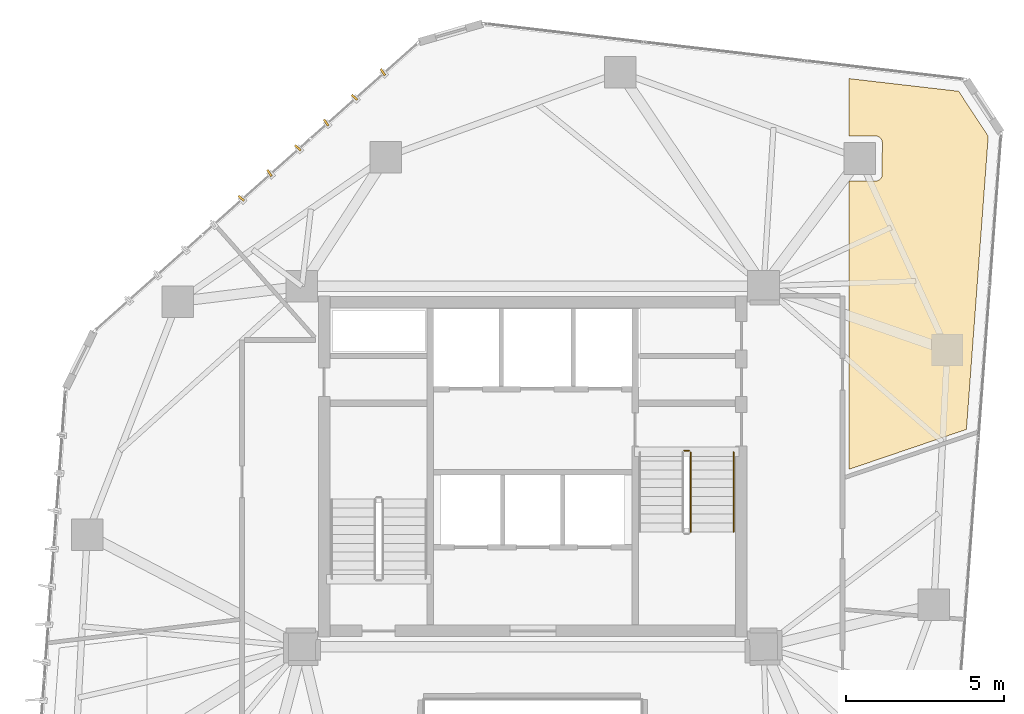
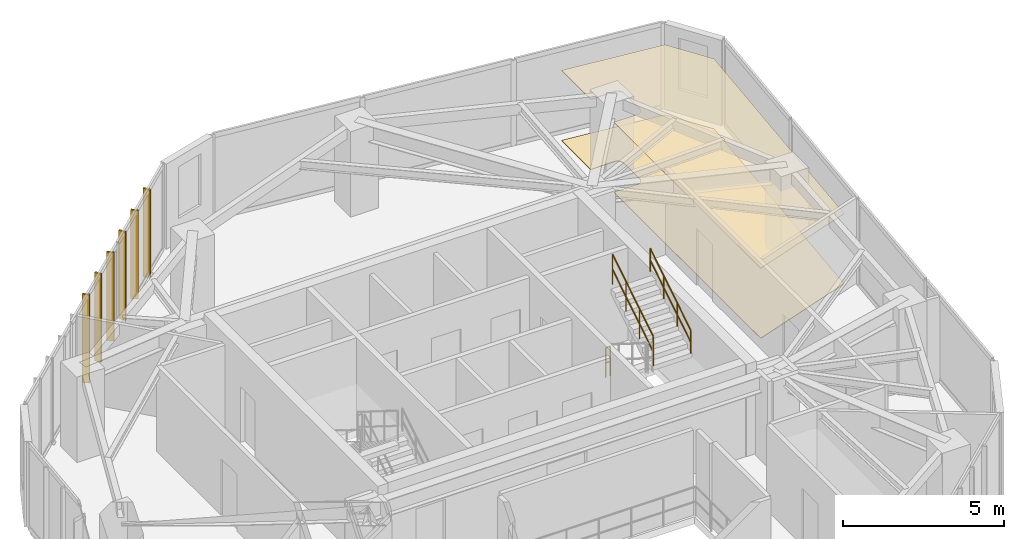
# One storey, part 20 of 20: 6 shading devices, 3 railings, 2 coverings.
"""IFC4 building model written with IfcOpenShell, lengths in metres."""

from ifc_helpers import new_model, si_unit, direction, frame, origin, origin_2d, place, context, subcontext, project, spatial, polyline, rectangle, circle, outline, extrude, source, transform, mapped, material, layer, layer_set, type_object, type_shapes, element, save


model = new_model("IFC4")

# Units and contexts
model_context = context("Model", 3, precision=1e-05, world=origin(), true_north=direction((0.0, 1.0)))
body_context = subcontext(model_context, "Body", "Model", "MODEL_VIEW")
ifc_project = project(units=[si_unit("LENGTHUNIT", "METRE"), si_unit("AREAUNIT", "SQUARE_METRE"), si_unit("VOLUMEUNIT", "CUBIC_METRE"), si_unit("PLANEANGLEUNIT", "RADIAN"), si_unit("MASSUNIT", "GRAM", prefix="KILO")], contexts=[model_context])

# Site, building, storey
site_placement = place(None, origin())
site = spatial("IfcSite", under=ifc_project, at=site_placement, CompositionType="ELEMENT")
building_placement = place(site_placement, origin())
building = spatial("IfcBuilding", under=site, at=building_placement, Name="Talar Marvaseh", CompositionType="ELEMENT")
storey_placement = place(building_placement, frame((0.0, 0.0, 215.199951171875)))
storey = spatial("IfcBuildingStorey", under=building, at=storey_placement, Name="L56", CompositionType="ELEMENT", Elevation=215.199951171875)

# Railings
ifc_material_1 = material(Name="Stainless Steel Grade 316", Category="steel")
railing_type_1 = type_object("IfcRailingType", Name="Brushed Stainless Wall Pitch Handrail 900", PredefinedType="HANDRAIL", material=ifc_material_1)
railing_1_placement = place(storey_placement, frame((32.35009765625, 29.1298828125, 1.925048828125)))
element("IfcRailing", 1, at=railing_1_placement, inside=storey, type_object=railing_type_1, Name="L56 ST-2 stair handrail 2", PredefinedType="HANDRAIL", context=body_context, shape_type="SweptSolid", body=[
    extrude(circle(Radius=0.02392578125, at=origin_2d()), frame((0.0, 0.0, 0.8759765625), z_axis=(0.0, 0.848007534815, 0.529984170421), x_axis=(-1.0, 0.0, 0.0)), (0.0, 0.0, 1.0), 2.9716796875),
    extrude(circle(Radius=0.02392578125, at=origin_2d()), frame((0.0, 0.0, 0.42578125), z_axis=(0.0, 0.848007534815, 0.529984170421), x_axis=(-1.0, 0.0, 0.0)), (0.0, 0.0, 1.0), 2.9716796875),
    extrude(circle(Radius=0.02099609375, at=origin_2d()), origin(), (0.0, 0.0, 1.0), 0.851806640625),
    extrude(circle(Radius=0.02099609375, at=origin_2d()), frame((0.0, 0.840087890625, 0.52490234375)), (0.0, 0.0, 1.0), 0.851806640625),
    extrude(circle(Radius=0.02099609375, at=origin_2d()), frame((0.0, 1.679931640625, 1.050048828125)), (0.0, 0.0, 1.0), 0.851806640625),
    extrude(circle(Radius=0.02099609375, at=origin_2d()), frame((0.0, 2.52001953125, 1.574951171875)), (0.0, 0.0, 1.0), 0.851806640625),
])
railing_type_2 = type_object("IfcRailingType", Name="Painted Steel Core Stair Well Guardrail 1150", PredefinedType="GUARDRAIL", material=ifc_material_1)
railing_2_placement = place(storey_placement, frame((31.0, 29.1298828125, 1.925048828125)))
element("IfcRailing", 2, at=railing_2_placement, inside=storey, type_object=railing_type_2, Name="L56 ST-2 stair guard 3", PredefinedType="GUARDRAIL", context=body_context, shape_type="SweptSolid", body=[
    extrude(circle(Radius=0.02392578125, at=origin_2d()), frame((0.0, 0.0, 1.1259765625), z_axis=(0.0, 0.848007534815, 0.529984170421), x_axis=(-1.0, 0.0, 0.0)), (0.0, 0.0, 1.0), 2.9716796875),
    extrude(circle(Radius=0.02392578125, at=origin_2d()), frame((0.0, 0.0, 0.55078125), z_axis=(0.0, 0.848007534815, 0.529984170421), x_axis=(-1.0, 0.0, 0.0)), (0.0, 0.0, 1.0), 2.9716796875),
    extrude(circle(Radius=0.02099609375, at=origin_2d()), origin(), (0.0, 0.0, 1.0), 1.101806640625),
    extrude(circle(Radius=0.02099609375, at=origin_2d()), frame((0.0, 0.840087890625, 0.52490234375)), (0.0, 0.0, 1.0), 1.101806640625),
    extrude(circle(Radius=0.02099609375, at=origin_2d()), frame((0.0, 1.679931640625, 1.050048828125)), (0.0, 0.0, 1.0), 1.101806640625),
    extrude(circle(Radius=0.02099609375, at=origin_2d()), frame((0.0, 2.52001953125, 1.574951171875)), (0.0, 0.0, 1.0), 1.101806640625),
])
railing_3_placement = place(storey_placement, frame((30.7900390625, 31.699951171875, 0.0)))
element("IfcRailing", 3, at=railing_3_placement, inside=storey, type_object=railing_type_2, Name="L56 ST-2 stair guard 4", PredefinedType="GUARDRAIL", context=body_context, shape_type="SweptSolid", body=[
    extrude(circle(Radius=0.02392578125, at=origin_2d()), frame((0.0, 0.0, 1.1259765625), z_axis=(1.0, 0.0, 0.0), x_axis=(0.0, 1.0, 0.0)), (0.0, 0.0, 1.0), 0.159912109375),
    extrude(circle(Radius=0.02392578125, at=origin_2d()), frame((0.0, 0.0, 0.55078125), z_axis=(1.0, 0.0, 0.0), x_axis=(0.0, 1.0, 0.0)), (0.0, 0.0, 1.0), 0.159912109375),
    extrude(circle(Radius=0.02099609375, at=origin_2d()), origin(), (0.0, 0.0, 1.0), 1.101806640625),
    extrude(circle(Radius=0.02099609375, at=origin_2d()), frame((0.159912109375, 0.0, 0.0)), (0.0, 0.0, 1.0), 1.101806640625),
])

# Coverings
ifc_material_2 = material(Name="Mineral Fibre Acoustic Ceiling")
ifc_layer_1 = layer(ifc_material_2, 0.02490234375)
ifc_layer_set_1 = layer_set([ifc_layer_1], Name="Mineral Fibre Acoustic Ceiling")
covering_type_1 = type_object("IfcCoveringType", Name="Perforated Mineral Fibre Acoustic Suspended Ceiling", PredefinedType="CEILING", material=ifc_layer_set_1)
covering_1_placement = place(storey_placement, frame((0.0, 0.0, 2.650146484375)))
element("IfcCovering", 4, at=covering_1_placement, inside=storey, type_object=covering_type_1, Name="L56 Artisan Craft Showroom Acoustic Ceiling", PredefinedType="CEILING", context=body_context, shape_type="SweptSolid", body=[
    extrude(outline(polyline([(40.4072265625, 41.644287109375), (39.716796875, 32.372802734375), (36.0, 31.109619140625), (36.0, 36.60009765625), (36.0, 40.2314453125), (36.8515625, 40.2314453125), (36.87109375, 40.232421875), (36.890380859375, 40.235107421875), (36.909423828125, 40.239990234375), (36.927978515625, 40.24658203125), (36.945556640625, 40.2548828125), (36.96240234375, 40.264892578125), (36.978271484375, 40.276611328125), (36.99267578125, 40.289794921875), (37.005859375, 40.30419921875), (37.017578125, 40.31982421875), (37.027587890625, 40.336669921875), (37.0361328125, 40.354248046875), (37.042724609375, 40.372802734375), (37.047607421875, 40.3916015625), (37.050537109375, 40.410888671875), (37.051513671875, 40.4306640625), (37.055908203125, 41.442626953125), (37.05517578125, 41.461181640625), (37.052490234375, 41.479736328125), (37.04833984375, 41.497802734375), (37.04248046875, 41.515625), (37.034912109375, 41.53271484375), (37.02587890625, 41.548828125), (37.015380859375, 41.564208984375), (37.00341796875, 41.57861328125), (36.990234375, 41.591796875), (36.975341796875, 41.605224609375), (36.9609375, 41.616943359375), (36.94580078125, 41.62744140625), (36.929443359375, 41.63623046875), (36.91259765625, 41.643798828125), (36.89501953125, 41.649658203125), (36.876953125, 41.65380859375), (36.858642578125, 41.65625), (36.840087890625, 41.656982421875), (36.0, 41.6533203125), (36.0, 43.46875), (39.4716796875, 43.0673828125), (40.4072265625, 41.644287109375)])), origin(), (0.0, 0.0, 1.0), 0.02490234375),
])
ifc_material_3 = material(Name="Porcelain Stoneware Tile", Category="masonry")
ifc_layer_2 = layer(ifc_material_3, 0.02001953125)
ifc_layer_set_2 = layer_set([ifc_layer_2], Name="Porcelain Stoneware Tile")
covering_type_2 = type_object("IfcCoveringType", Name="Polished Porcelain Stoneware Gallery Flooring", PredefinedType="FLOORING", material=ifc_layer_set_2)
covering_2_placement = place(storey_placement, origin())
element("IfcCovering", 5, at=covering_2_placement, inside=storey, type_object=covering_type_2, Name="L56 Artisan Craft Showroom Flooring", PredefinedType="FLOORING", context=body_context, shape_type="SweptSolid", body=[
    extrude(outline(polyline([(40.4072265625, 41.644287109375), (39.716796875, 32.372802734375), (36.0, 31.109619140625), (36.0, 36.60009765625), (36.0, 40.2314453125), (36.8515625, 40.2314453125), (36.87109375, 40.232421875), (36.890380859375, 40.235107421875), (36.909423828125, 40.239990234375), (36.927978515625, 40.24658203125), (36.945556640625, 40.2548828125), (36.96240234375, 40.264892578125), (36.978271484375, 40.276611328125), (36.99267578125, 40.289794921875), (37.005859375, 40.30419921875), (37.017578125, 40.31982421875), (37.027587890625, 40.336669921875), (37.0361328125, 40.354248046875), (37.042724609375, 40.372802734375), (37.047607421875, 40.3916015625), (37.050537109375, 40.410888671875), (37.051513671875, 40.4306640625), (37.055908203125, 41.442626953125), (37.05517578125, 41.461181640625), (37.052490234375, 41.479736328125), (37.04833984375, 41.497802734375), (37.04248046875, 41.515625), (37.034912109375, 41.53271484375), (37.02587890625, 41.548828125), (37.015380859375, 41.564208984375), (37.00341796875, 41.57861328125), (36.990234375, 41.591796875), (36.975341796875, 41.605224609375), (36.9609375, 41.616943359375), (36.94580078125, 41.62744140625), (36.929443359375, 41.63623046875), (36.91259765625, 41.643798828125), (36.89501953125, 41.649658203125), (36.876953125, 41.65380859375), (36.858642578125, 41.65625), (36.840087890625, 41.656982421875), (36.0, 41.6533203125), (36.0, 43.46875), (39.4716796875, 43.0673828125), (40.4072265625, 41.644287109375)])), origin(), (0.0, 0.0, 1.0), 0.02001953125),
])

# Shading devices
ifc_material_4 = material(Name="Anodised Champagne Bronze Aluminium", Category="aluminium")
ifc_layer_3 = layer(ifc_material_4, 0.06494140625)
ifc_layer_set_3 = layer_set([ifc_layer_3], Name="Anodised Champagne Bronze Aluminium")
shading_device_type = type_object("IfcShadingDeviceType", Name="Sawtooth Champagne Bronze Vertical Fin 240", PredefinedType="USERDEFINED", material=ifc_layer_set_3)
shared_shape = source(origin(), body_context, "Body", "SweptSolid", [
    extrude(rectangle(XDim=0.239990234375, YDim=0.06494140625, at=origin_2d()), origin(), (0.0, 0.0, 1.0), 3.35009765625),
])
type_shapes(shading_device_type, [shared_shape])
for number, where, z_axis, x_axis, name in (
    (6, (16.77880859375, 39.6826171875, -0.1201171875), (0.0, 0.0, 1.0), (-0.762442511011, 0.647055961569, 0.0), "L56 Sawtooth Vertical Solar Fin"),
    (7, (17.675048828125, 40.48046875, -0.1201171875), (0.0, 0.0, 1.0), (-0.554553986878, 0.832147748683, 0.0), "L56 Sawtooth Vertical Solar Fin"),
    (8, (18.5712890625, 41.278564453125, -0.1201171875), (0.0, 0.0, 1.0), (-0.762442511011, 0.647055961569, 0.0), "L56 Sawtooth Vertical Solar Fin"),
    (9, (19.467529296875, 42.076416015625, -0.1201171875), (0.0, 0.0, 1.0), (-0.554553986878, 0.832147748683, 0.0), "L56 Sawtooth Vertical Solar Fin"),
    (10, (20.36376953125, 42.87451171875, -0.1201171875), (0.0, 0.0, 1.0), (-0.762442511011, 0.647055961569, 0.0), "L56 Sawtooth Vertical Solar Fin"),
    (11, (21.260009765625, 43.672607421875, -0.1201171875), (0.0, 0.0, 1.0), (-0.554553986878, 0.832147748683, 0.0), "L56 Sawtooth Vertical Solar Fin"),
):
    element("IfcShadingDevice", number, at=place(storey_placement, frame(where, z_axis=z_axis, x_axis=x_axis)), inside=storey, type_object=shading_device_type, Name=name, ObjectType="FIN", PredefinedType="USERDEFINED", context=body_context, shape_type="MappedRepresentation", body=[
        mapped(shared_shape, transform((0.0, 0.0, 0.0), x_axis=(1.0, 0.0, 0.0), y_axis=(0.0, 1.0, 0.0), z_axis=(0.0, 0.0, 1.0), scale=1.0)),
    ])

save(model, "model.ifc")
